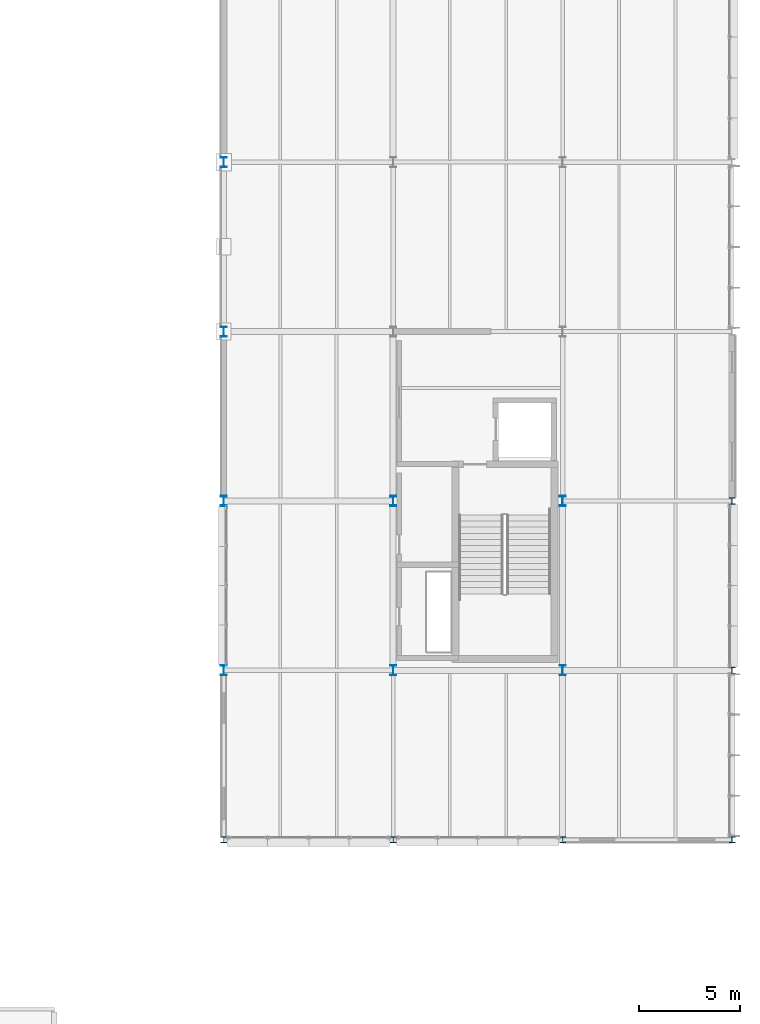
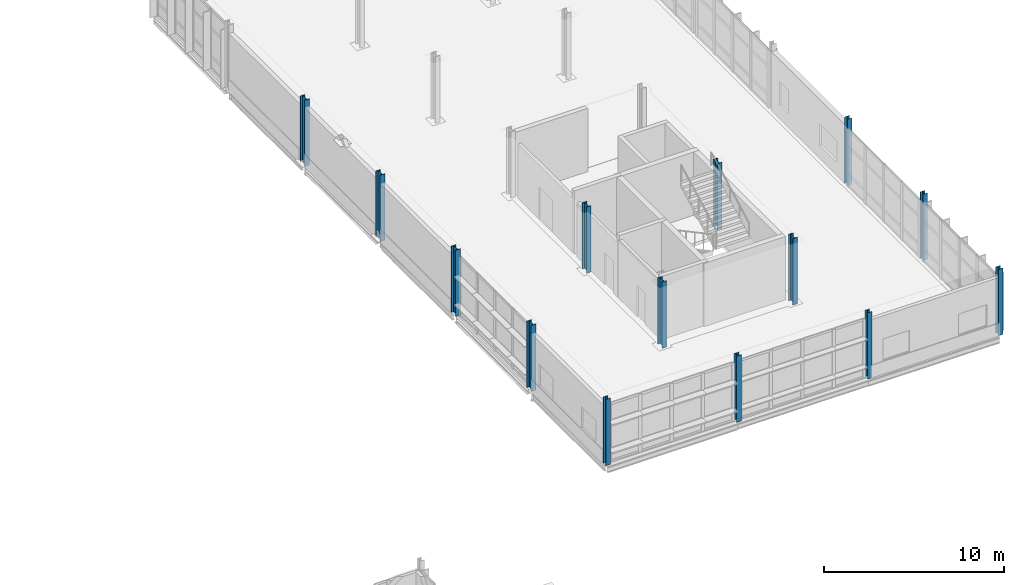
# One storey, part 15 of 129: 14 columns.
"""IFC4 building model written with IfcOpenShell, lengths in metres."""

from ifc_helpers import new_model, si_unit, direction, frame, origin, origin_2d, place, context, subcontext, project, spatial, i_section, extrude, material, material_profile, profile_set, type_object, element, save


model = new_model("IFC4")

# Units and contexts
model_context = context("Model", 3, precision=1e-05, world=origin(), true_north=direction((0.0, 1.0)))
body_context = subcontext(model_context, "Body", "Model", "MODEL_VIEW")
ifc_project = project(units=[si_unit("LENGTHUNIT", "METRE"), si_unit("AREAUNIT", "SQUARE_METRE"), si_unit("VOLUMEUNIT", "CUBIC_METRE"), si_unit("PLANEANGLEUNIT", "RADIAN"), si_unit("MASSUNIT", "GRAM", prefix="KILO")], contexts=[model_context])

# Site, building, storey
site_placement = place(None, origin())
site = spatial("IfcSite", under=ifc_project, at=site_placement, CompositionType="ELEMENT")
building_placement = place(site_placement, origin())
building = spatial("IfcBuilding", under=site, at=building_placement, Name="Mersafa Astral City Hall", CompositionType="ELEMENT")
storey_placement = place(building_placement, frame((0.0, 0.0, 5.39990234375)))
storey = spatial("IfcBuildingStorey", under=building, at=storey_placement, Name="L01", CompositionType="ELEMENT", Elevation=5.39990234375)

# Columns
ifc_material = material(Name="Steel S355", Category="steel")
ifc_material_profile_1 = material_profile(ifc_material, i_section(OverallWidth=0.300048828125, OverallDepth=0.300048828125, WebThickness=0.010986328125, FlangeThickness=0.01904296875, FilletRadius=0.027099609375, at=origin_2d()), Name="HEB 300")
ifc_profile_set_1 = profile_set([ifc_material_profile_1], Name="Steel S355")
column_type_1 = type_object("IfcColumnType", Name="STR-COL-HEB300", PredefinedType="COLUMN", material=ifc_profile_set_1)
for number, where, z_axis, x_axis, name in (
    (1, (159.60009765625, 42.0, 0.0), (0.0, 0.0, 1.0), (1.0, 0.0, 0.0), "L01 Structural column G-19-05"),
    (2, (168.0, 42.0, 0.0), (0.0, 0.0, 1.0), (1.0, 0.0, 0.0), "L01 Structural column G-20-05"),
    (3, (176.39990234375, 42.0, 0.0), (0.0, 0.0, 1.0), (1.0, 0.0, 0.0), "L01 Structural column G-21-05"),
    (4, (184.800048828125, 42.0, 0.0), (0.0, 0.0, 1.0), (1.0, 0.0, 0.0), "L01 Structural column G-22-05"),
    (5, (184.800048828125, 50.39990234375, 0.0), (0.0, 0.0, 1.0), (1.0, 0.0, 0.0), "L01 Structural column G-22-06"),
    (6, (184.800048828125, 58.800048828125, 0.0), (0.0, 0.0, 1.0), (1.0, 0.0, 0.0), "L01 Structural column G-22-07"),
):
    element("IfcColumn", number, at=place(storey_placement, frame(where, z_axis=z_axis, x_axis=x_axis)), inside=storey, type_object=column_type_1, Name=name, PredefinedType="COLUMN", context=body_context, shape_type="SweptSolid", body=[
        extrude(i_section(OverallWidth=0.300048828125, OverallDepth=0.300048828125, WebThickness=0.010986328125, FlangeThickness=0.01904296875, FilletRadius=0.027099609375, at=origin_2d()), origin(), (0.0, 0.0, 1.0), 4.5),
    ])
ifc_material_profile_2 = material_profile(ifc_material, i_section(OverallWidth=0.300048828125, OverallDepth=0.5, WebThickness=0.014404296875, FlangeThickness=0.028076171875, FilletRadius=0.027099609375, at=origin_2d()), Name="HEB 500")
ifc_profile_set_2 = profile_set([ifc_material_profile_2], Name="Steel S355")
column_type_2 = type_object("IfcColumnType", Name="STR-COL-HEB500", PredefinedType="COLUMN", material=ifc_profile_set_2)
for number, where, z_axis, x_axis, name in (
    (7, (159.60009765625, 50.39990234375, 0.0), (0.0, 0.0, 1.0), (1.0, 0.0, 0.0), "L01 Structural column G-19-06"),
    (8, (159.60009765625, 58.800048828125, 0.0), (0.0, 0.0, 1.0), (1.0, 0.0, 0.0), "L01 Structural column G-19-07"),
    (9, (159.60009765625, 67.199951171875, 0.0), (0.0, 0.0, 1.0), (1.0, 0.0, 0.0), "L01 Structural column G-19-08"),
    (10, (159.60009765625, 75.60009765625, 0.0), (0.0, 0.0, 1.0), (1.0, 0.0, 0.0), "L01 Structural column G-19-09"),
    (11, (168.0, 50.39990234375, 0.0), (0.0, 0.0, 1.0), (1.0, 0.0, 0.0), "L01 Structural column G-20-06"),
    (12, (168.0, 58.800048828125, 0.0), (0.0, 0.0, 1.0), (1.0, 0.0, 0.0), "L01 Structural column G-20-07"),
    (13, (176.39990234375, 50.39990234375, 0.0), (0.0, 0.0, 1.0), (1.0, 0.0, 0.0), "L01 Structural column G-21-06"),
    (14, (176.39990234375, 58.800048828125, 0.0), (0.0, 0.0, 1.0), (1.0, 0.0, 0.0), "L01 Structural column G-21-07"),
):
    element("IfcColumn", number, at=place(storey_placement, frame(where, z_axis=z_axis, x_axis=x_axis)), inside=storey, type_object=column_type_2, Name=name, PredefinedType="COLUMN", context=body_context, shape_type="SweptSolid", body=[
        extrude(i_section(OverallWidth=0.300048828125, OverallDepth=0.5, WebThickness=0.014404296875, FlangeThickness=0.028076171875, FilletRadius=0.027099609375, at=origin_2d()), origin(), (0.0, 0.0, 1.0), 4.5),
    ])

save(model, "model.ifc")
